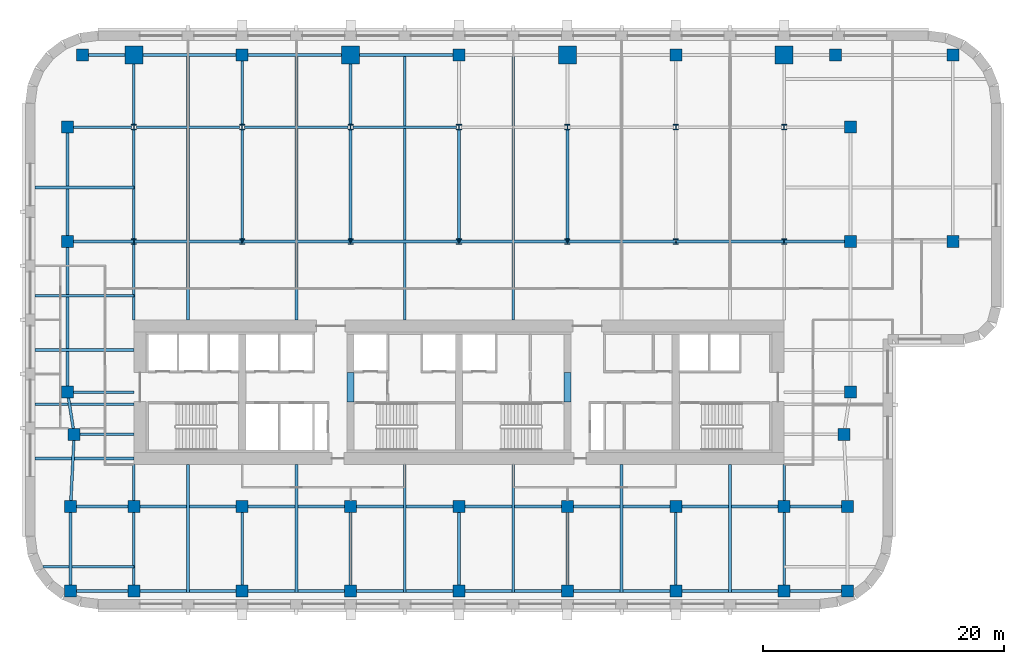
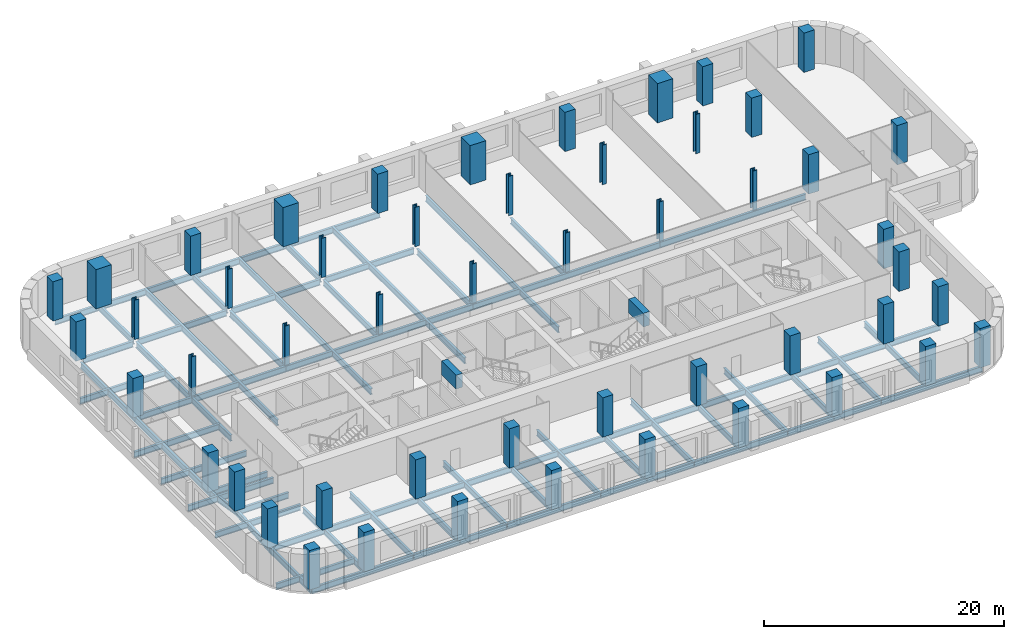
# One storey, part 1 of 9: 58 beams, 51 columns.
"""IFC4 building model written with IfcOpenShell, lengths in metres."""

from ifc_helpers import new_model, si_unit, direction, frame, origin, origin_2d, place, context, subcontext, project, spatial, rectangle, i_section, extrude, material, material_profile, profile_set, type_object, element, save


model = new_model("IFC4")

# Units and contexts
model_context = context("Model", 3, precision=1e-05, world=origin(), true_north=direction((0.0, 1.0)))
body_context = subcontext(model_context, "Body", "Model", "MODEL_VIEW")
ifc_project = project(units=[si_unit("LENGTHUNIT", "METRE"), si_unit("AREAUNIT", "SQUARE_METRE"), si_unit("VOLUMEUNIT", "CUBIC_METRE"), si_unit("PLANEANGLEUNIT", "RADIAN"), si_unit("MASSUNIT", "GRAM", prefix="KILO")], contexts=[model_context])

# Site, building, storey
site_placement = place(None, origin())
site = spatial("IfcSite", under=ifc_project, at=site_placement, CompositionType="ELEMENT")
building_placement = place(site_placement, origin())
building = spatial("IfcBuilding", under=site, at=building_placement, Name="Zellij Exchange Tower", CompositionType="ELEMENT")
storey_placement = place(building_placement, frame((0.0, 0.0, 136.5)))
storey = spatial("IfcBuildingStorey", under=building, at=storey_placement, Name="L30", CompositionType="ELEMENT", Elevation=136.5)

# Columns
ifc_material_1 = material(Name="Concrete C70/85", Category="concrete")
ifc_material_profile_1 = material_profile(ifc_material_1, rectangle(XDim=1.0, YDim=1.0, at=origin_2d()), Name="STR-COLUMN RC1000x1000 C70/85")
ifc_profile_set_1 = profile_set([ifc_material_profile_1], Name="Concrete C70/85")
column_type_1 = type_object("IfcColumnType", Name="STR-COLUMN RC1000x1000 C70/85", PredefinedType="COLUMN", material=ifc_profile_set_1)
for number, where, z_axis, x_axis, name in (
    (1, (-32.25, -24.5, 0.0), (0.0, 0.0, 1.0), (1.0, 0.0, 0.0), "C10"),
    (2, (-27.0, -24.5, 0.0), (0.0, 0.0, 1.0), (1.0, 0.0, 0.0), "C10"),
    (3, (-18.0, -24.5, 0.0), (0.0, 0.0, 1.0), (1.0, 0.0, 0.0), "C10"),
    (4, (-9.0, -24.5, 0.0), (0.0, 0.0, 1.0), (1.0, 0.0, 0.0), "C10"),
    (5, (0.0, -24.5, 0.0), (0.0, 0.0, 1.0), (1.0, 0.0, 0.0), "C10"),
    (6, (9.0, -24.5, 0.0), (0.0, 0.0, 1.0), (1.0, 0.0, 0.0), "C10"),
    (7, (18.0, -24.5, 0.0), (0.0, 0.0, 1.0), (1.0, 0.0, 0.0), "C10"),
    (8, (27.0, -24.5, 0.0), (0.0, 0.0, 1.0), (1.0, 0.0, 0.0), "C10"),
    (9, (32.25, -24.5, 0.0), (0.0, 0.0, 1.0), (1.0, 0.0, 0.0), "C10"),
    (10, (-32.25, -17.5, 0.0), (0.0, 0.0, 1.0), (1.0, 0.0, 0.0), "C10"),
    (11, (-27.0, -17.5, 0.0), (0.0, 0.0, 1.0), (1.0, 0.0, 0.0), "C10"),
    (12, (-18.0, -17.5, 0.0), (0.0, 0.0, 1.0), (1.0, 0.0, 0.0), "C10"),
    (13, (-9.0, -17.5, 0.0), (0.0, 0.0, 1.0), (1.0, 0.0, 0.0), "C10"),
    (14, (0.0, -17.5, 0.0), (0.0, 0.0, 1.0), (1.0, 0.0, 0.0), "C10"),
    (15, (9.0, -17.5, 0.0), (0.0, 0.0, 1.0), (1.0, 0.0, 0.0), "C10"),
    (16, (18.0, -17.5, 0.0), (0.0, 0.0, 1.0), (1.0, 0.0, 0.0), "C10"),
    (17, (27.0, -17.5, 0.0), (0.0, 0.0, 1.0), (1.0, 0.0, 0.0), "C10"),
    (18, (32.25, -17.5, 0.0), (0.0, 0.0, 1.0), (1.0, 0.0, 0.0), "C10"),
    (19, (-31.949951171875, -11.5, 0.0), (0.0, 0.0, 1.0), (1.0, 0.0, 0.0), "C10"),
    (20, (31.949951171875, -11.5, 0.0), (0.0, 0.0, 1.0), (1.0, 0.0, 0.0), "C10"),
    (21, (-32.5, -8.0, 0.0), (0.0, 0.0, 1.0), (1.0, 0.0, 0.0), "C10"),
    (22, (32.5, -8.0, 0.0), (0.0, 0.0, 1.0), (1.0, 0.0, 0.0), "C10"),
    (23, (-32.5, 4.5, 0.0), (0.0, 0.0, 1.0), (1.0, 0.0, 0.0), "C10"),
    (24, (32.5, 4.5, 0.0), (0.0, 0.0, 1.0), (1.0, 0.0, 0.0), "C10"),
    (25, (41.0, 4.5, 0.0), (0.0, 0.0, 1.0), (1.0, 0.0, 0.0), "C10"),
    (26, (-32.5, 14.0, 0.0), (0.0, 0.0, 1.0), (1.0, 0.0, 0.0), "C10"),
    (27, (32.5, 14.0, 0.0), (0.0, 0.0, 1.0), (1.0, 0.0, 0.0), "C10"),
    (28, (-31.25, 20.0, 0.0), (0.0, 0.0, 1.0), (1.0, 0.0, 0.0), "C10"),
    (29, (-18.0, 20.0, 0.0), (0.0, 0.0, 1.0), (1.0, 0.0, 0.0), "C10"),
    (30, (0.0, 20.0, 0.0), (0.0, 0.0, 1.0), (1.0, 0.0, 0.0), "C10"),
    (31, (18.0, 20.0, 0.0), (0.0, 0.0, 1.0), (1.0, 0.0, 0.0), "C10"),
    (32, (31.25, 20.0, 0.0), (0.0, 0.0, 1.0), (1.0, 0.0, 0.0), "C10"),
    (33, (41.0, 20.0, 0.0), (0.0, 0.0, 1.0), (1.0, 0.0, 0.0), "C10"),
):
    element("IfcColumn", number, at=place(storey_placement, frame(where, z_axis=z_axis, x_axis=x_axis)), inside=storey, type_object=column_type_1, Name=name, PredefinedType="COLUMN", context=body_context, shape_type="SweptSolid", body=[
        extrude(rectangle(XDim=1.0, YDim=1.0, at=origin_2d()), origin(), (0.0, 0.0, 1.0), 4.0),
    ])
ifc_material_2 = material(Name="Structural steel ASTM A913 Gr 65", Category="steel")
ifc_material_profile_2 = material_profile(ifc_material_2, i_section(OverallWidth=0.419189453125, OverallDepth=0.45458984375, WebThickness=0.042236328125, FlangeThickness=0.067626953125, at=origin_2d()), Name="W14x370")
ifc_profile_set_2 = profile_set([ifc_material_profile_2], Name="Structural steel ASTM A913 Gr 65")
column_type_2 = type_object("IfcColumnType", Name="STR-COLUMN W14x370", PredefinedType="COLUMN", material=ifc_profile_set_2)
for number, where, z_axis, x_axis, name in (
    (34, (-27.0, 4.5, 0.0), (0.0, 0.0, 1.0), (1.0, 0.0, 0.0), "C4"),
    (35, (-18.0, 4.5, 0.0), (0.0, 0.0, 1.0), (1.0, 0.0, 0.0), "C4"),
    (36, (-9.0, 4.5, 0.0), (0.0, 0.0, 1.0), (1.0, 0.0, 0.0), "C4"),
    (37, (0.0, 4.5, 0.0), (0.0, 0.0, 1.0), (1.0, 0.0, 0.0), "C4"),
    (38, (9.0, 4.5, 0.0), (0.0, 0.0, 1.0), (1.0, 0.0, 0.0), "C4"),
    (39, (18.0, 4.5, 0.0), (0.0, 0.0, 1.0), (1.0, 0.0, 0.0), "C4"),
    (40, (27.0, 4.5, 0.0), (0.0, 0.0, 1.0), (1.0, 0.0, 0.0), "C4"),
    (41, (-27.0, 14.0, 0.0), (0.0, 0.0, 1.0), (1.0, 0.0, 0.0), "C4"),
    (42, (-18.0, 14.0, 0.0), (0.0, 0.0, 1.0), (1.0, 0.0, 0.0), "C4"),
    (43, (-9.0, 14.0, 0.0), (0.0, 0.0, 1.0), (1.0, 0.0, 0.0), "C4"),
    (44, (0.0, 14.0, 0.0), (0.0, 0.0, 1.0), (1.0, 0.0, 0.0), "C4"),
    (45, (9.0, 14.0, 0.0), (0.0, 0.0, 1.0), (1.0, 0.0, 0.0), "C4"),
    (46, (18.0, 14.0, 0.0), (0.0, 0.0, 1.0), (1.0, 0.0, 0.0), "C4"),
    (47, (27.0, 14.0, 0.0), (0.0, 0.0, 1.0), (1.0, 0.0, 0.0), "C4"),
):
    element("IfcColumn", number, at=place(storey_placement, frame(where, z_axis=z_axis, x_axis=x_axis)), inside=storey, type_object=column_type_2, Name=name, PredefinedType="COLUMN", context=body_context, shape_type="SweptSolid", body=[
        extrude(i_section(OverallWidth=0.419189453125, OverallDepth=0.45458984375, WebThickness=0.042236328125, FlangeThickness=0.067626953125, at=origin_2d()), origin(), (0.0, 0.0, 1.0), 4.0),
    ])
ifc_material_profile_3 = material_profile(ifc_material_1, rectangle(XDim=1.5, YDim=1.5, at=origin_2d()), Name="STR-MEGA COLUMN RC1500x1500 C70/85")
ifc_profile_set_3 = profile_set([ifc_material_profile_3], Name="Concrete C70/85")
column_type_3 = type_object("IfcColumnType", Name="STR-MEGA COLUMN RC1500x1500 C70/85", PredefinedType="COLUMN", material=ifc_profile_set_3)
for number, where, z_axis, x_axis, name in (
    (48, (-27.0, 20.0, 0.0), (0.0, 0.0, 1.0), (1.0, 0.0, 0.0), "MC5"),
    (49, (-9.0, 20.0, 0.0), (0.0, 0.0, 1.0), (1.0, 0.0, 0.0), "MC5"),
    (50, (9.0, 20.0, 0.0), (0.0, 0.0, 1.0), (1.0, 0.0, 0.0), "MC5"),
    (51, (27.0, 20.0, 0.0), (0.0, 0.0, 1.0), (1.0, 0.0, 0.0), "MC5"),
):
    element("IfcColumn", number, at=place(storey_placement, frame(where, z_axis=z_axis, x_axis=x_axis)), inside=storey, type_object=column_type_3, Name=name, PredefinedType="COLUMN", context=body_context, shape_type="SweptSolid", body=[
        extrude(rectangle(XDim=1.5, YDim=1.5, at=origin_2d()), origin(), (0.0, 0.0, 1.0), 4.0),
    ])

# Beams
ifc_material_profile_4 = material_profile(ifc_material_1, rectangle(XDim=0.60009765625, YDim=1.39990234375, at=origin_2d()), Name="CORE-CB 600x1400 C70/85")
ifc_profile_set_4 = profile_set([ifc_material_profile_4], Name="Concrete C70/85")
beam_type_1 = type_object("IfcBeamType", Name="CORE-CB 600x1400 C70/85", PredefinedType="BEAM", material=ifc_profile_set_4)
for number, where, z_axis, x_axis, name in (
    (52, (-9.0, -8.800048828125, 3.10009765625), (0.0, 1.0, 0.0), (-1.0, 0.0, 0.0), "Core coupling beam x -9 L30"),
    (53, (9.0, -8.800048828125, 3.10009765625), (0.0, 1.0, 0.0), (-1.0, 0.0, 0.0), "Core coupling beam x 9 L30"),
):
    element("IfcBeam", number, at=place(storey_placement, frame(where, z_axis=z_axis, x_axis=x_axis)), inside=storey, type_object=beam_type_1, Name=name, PredefinedType="BEAM", context=body_context, shape_type="SweptSolid", body=[
        extrude(rectangle(XDim=0.60009765625, YDim=1.39990234375, at=origin_2d()), origin(), (0.0, 0.0, 1.0), 2.425048828125),
    ])
ifc_material_3 = material(Name="Structural steel ASTM A992 Gr 50", Category="steel")
ifc_material_profile_5 = material_profile(ifc_material_3, i_section(OverallWidth=0.227783203125, OverallDepth=0.60205078125, WebThickness=0.010498046875, FlangeThickness=0.014892578125, at=origin_2d()), Name="W24x68")
ifc_profile_set_5 = profile_set([ifc_material_profile_5], Name="Structural steel ASTM A992 Gr 50")
beam_type_2 = type_object("IfcBeamType", Name="STR-BEAM W24x68", PredefinedType="BEAM", material=ifc_profile_set_5)
beam_1_placement = place(storey_placement, frame((-22.5, -24.614501953125, -0.5009765625), z_axis=(0.0, 1.0, 0.0), x_axis=(-1.0, 0.0, 0.0)))
element("IfcBeam", 54, at=beam_1_placement, inside=storey, type_object=beam_type_2, Name="B5", PredefinedType="BEAM", context=body_context, shape_type="SweptSolid", body=[
    extrude(i_section(OverallWidth=0.227783203125, OverallDepth=0.60205078125, WebThickness=0.010498046875, FlangeThickness=0.014892578125, at=origin_2d()), origin(), (0.0, 0.0, 1.0), 10.614501953125),
])
beam_2_placement = place(storey_placement, frame((-22.5, -2.0, -0.5009765625), z_axis=(0.0, 1.0, 0.0), x_axis=(-1.0, 0.0, 0.0)))
element("IfcBeam", 55, at=beam_2_placement, inside=storey, type_object=beam_type_2, Name="B5", PredefinedType="BEAM", context=body_context, shape_type="SweptSolid", body=[
    extrude(i_section(OverallWidth=0.227783203125, OverallDepth=0.60205078125, WebThickness=0.010498046875, FlangeThickness=0.014892578125, at=origin_2d()), origin(), (0.0, 0.0, 1.0), 22.114501953125),
])
beam_3_placement = place(storey_placement, frame((-13.5, -24.614501953125, -0.5009765625), z_axis=(0.0, 1.0, 0.0), x_axis=(-1.0, 0.0, 0.0)))
element("IfcBeam", 56, at=beam_3_placement, inside=storey, type_object=beam_type_2, Name="B5", PredefinedType="BEAM", context=body_context, shape_type="SweptSolid", body=[
    extrude(i_section(OverallWidth=0.227783203125, OverallDepth=0.60205078125, WebThickness=0.010498046875, FlangeThickness=0.014892578125, at=origin_2d()), origin(), (0.0, 0.0, 1.0), 10.614501953125),
])
beam_4_placement = place(storey_placement, frame((-13.5, -2.0, -0.5009765625), z_axis=(0.0, 1.0, 0.0), x_axis=(-1.0, 0.0, 0.0)))
element("IfcBeam", 57, at=beam_4_placement, inside=storey, type_object=beam_type_2, Name="B5", PredefinedType="BEAM", context=body_context, shape_type="SweptSolid", body=[
    extrude(i_section(OverallWidth=0.227783203125, OverallDepth=0.60205078125, WebThickness=0.010498046875, FlangeThickness=0.014892578125, at=origin_2d()), origin(), (0.0, 0.0, 1.0), 22.114501953125),
])
beam_5_placement = place(storey_placement, frame((-4.5, -24.614501953125, -0.5009765625), z_axis=(0.0, 1.0, 0.0), x_axis=(-1.0, 0.0, 0.0)))
element("IfcBeam", 58, at=beam_5_placement, inside=storey, type_object=beam_type_2, Name="B5", PredefinedType="BEAM", context=body_context, shape_type="SweptSolid", body=[
    extrude(i_section(OverallWidth=0.227783203125, OverallDepth=0.60205078125, WebThickness=0.010498046875, FlangeThickness=0.014892578125, at=origin_2d()), origin(), (0.0, 0.0, 1.0), 10.614501953125),
])
beam_6_placement = place(storey_placement, frame((-4.5, -2.0, -0.5009765625), z_axis=(0.0, 1.0, 0.0), x_axis=(-1.0, 0.0, 0.0)))
element("IfcBeam", 59, at=beam_6_placement, inside=storey, type_object=beam_type_2, Name="B5", PredefinedType="BEAM", context=body_context, shape_type="SweptSolid", body=[
    extrude(i_section(OverallWidth=0.227783203125, OverallDepth=0.60205078125, WebThickness=0.010498046875, FlangeThickness=0.014892578125, at=origin_2d()), origin(), (0.0, 0.0, 1.0), 22.114501953125),
])
beam_7_placement = place(storey_placement, frame((4.5, -24.614501953125, -0.5009765625), z_axis=(0.0, 1.0, 0.0), x_axis=(-1.0, 0.0, 0.0)))
element("IfcBeam", 60, at=beam_7_placement, inside=storey, type_object=beam_type_2, Name="B5", PredefinedType="BEAM", context=body_context, shape_type="SweptSolid", body=[
    extrude(i_section(OverallWidth=0.227783203125, OverallDepth=0.60205078125, WebThickness=0.010498046875, FlangeThickness=0.014892578125, at=origin_2d()), origin(), (0.0, 0.0, 1.0), 10.614501953125),
])
beam_8_placement = place(storey_placement, frame((4.5, -2.0, -0.5009765625), z_axis=(0.0, 1.0, 0.0), x_axis=(-1.0, 0.0, 0.0)))
element("IfcBeam", 61, at=beam_8_placement, inside=storey, type_object=beam_type_2, Name="B5", PredefinedType="BEAM", context=body_context, shape_type="SweptSolid", body=[
    extrude(i_section(OverallWidth=0.227783203125, OverallDepth=0.60205078125, WebThickness=0.010498046875, FlangeThickness=0.014892578125, at=origin_2d()), origin(), (0.0, 0.0, 1.0), 22.114501953125),
])
for number, where, z_axis, x_axis, name in (
    (62, (13.5, -24.614501953125, -0.5009765625), (0.0, 1.0, 0.0), (-1.0, 0.0, 0.0), "B5"),
    (63, (22.5, -24.614501953125, -0.5009765625), (0.0, 1.0, 0.0), (-1.0, 0.0, 0.0), "B5"),
):
    element("IfcBeam", number, at=place(storey_placement, frame(where, z_axis=z_axis, x_axis=x_axis)), inside=storey, type_object=beam_type_2, Name=name, PredefinedType="BEAM", context=body_context, shape_type="SweptSolid", body=[
        extrude(i_section(OverallWidth=0.227783203125, OverallDepth=0.60205078125, WebThickness=0.010498046875, FlangeThickness=0.014892578125, at=origin_2d()), origin(), (0.0, 0.0, 1.0), 10.614501953125),
    ])
beam_9_placement = place(storey_placement, frame((-34.537109375, -22.5, -0.5009765625), z_axis=(1.0, 0.0, 0.0), x_axis=(0.0, 1.0, 0.0)))
element("IfcBeam", 64, at=beam_9_placement, inside=storey, type_object=beam_type_2, Name="B5", PredefinedType="BEAM", context=body_context, shape_type="SweptSolid", body=[
    extrude(i_section(OverallWidth=0.227783203125, OverallDepth=0.60205078125, WebThickness=0.010498046875, FlangeThickness=0.014892578125, at=origin_2d()), origin(), (0.0, 0.0, 1.0), 7.537109375),
])
for number, where, z_axis, x_axis, name in (
    (65, (-35.199951171875, -13.5, -0.5009765625), (1.0, 0.0, 0.0), (0.0, 1.0, 0.0), "B5"),
    (66, (-35.199951171875, -9.0, -0.5009765625), (1.0, 0.0, 0.0), (0.0, 1.0, 0.0), "B5"),
    (67, (-35.199951171875, -4.5, -0.5009765625), (1.0, 0.0, 0.0), (0.0, 1.0, 0.0), "B5"),
    (68, (-35.199951171875, 0.0, -0.5009765625), (1.0, 0.0, 0.0), (0.0, 1.0, 0.0), "B5"),
    (69, (-35.199951171875, 9.0, -0.5009765625), (1.0, 0.0, 0.0), (0.0, 1.0, 0.0), "B5"),
):
    element("IfcBeam", number, at=place(storey_placement, frame(where, z_axis=z_axis, x_axis=x_axis)), inside=storey, type_object=beam_type_2, Name=name, PredefinedType="BEAM", context=body_context, shape_type="SweptSolid", body=[
        extrude(i_section(OverallWidth=0.227783203125, OverallDepth=0.60205078125, WebThickness=0.010498046875, FlangeThickness=0.014892578125, at=origin_2d()), origin(), (0.0, 0.0, 1.0), 8.199951171875),
    ])
ifc_material_profile_6 = material_profile(ifc_material_3, i_section(OverallWidth=0.22900390625, OverallDepth=0.612060546875, WebThickness=0.011962890625, FlangeThickness=0.01953125, at=origin_2d()), Name="W24x84")
ifc_profile_set_6 = profile_set([ifc_material_profile_6], Name="Structural steel ASTM A992 Gr 50")
beam_type_3 = type_object("IfcBeamType", Name="STR-EDGE GIRDER W24x84", PredefinedType="BEAM", material=ifc_profile_set_6)
beam_10_placement = place(storey_placement, frame((-32.25, -24.5, -0.506103515625), z_axis=(0.0, 1.0, 0.0), x_axis=(-1.0, 0.0, 0.0)))
element("IfcBeam", 70, at=beam_10_placement, inside=storey, type_object=beam_type_3, Name="EB6", PredefinedType="BEAM", context=body_context, shape_type="SweptSolid", body=[
    extrude(i_section(OverallWidth=0.22900390625, OverallDepth=0.612060546875, WebThickness=0.011962890625, FlangeThickness=0.01953125, at=origin_2d()), origin(), (0.0, 0.0, 1.0), 7.0),
])
beam_11_placement = place(storey_placement, frame((-32.25, -17.5, -0.506103515625), z_axis=(0.049945724537, 0.998751933465, 0.0), x_axis=(-0.998751933465, 0.049945724537, 0.0)))
element("IfcBeam", 71, at=beam_11_placement, inside=storey, type_object=beam_type_3, Name="EB6", PredefinedType="BEAM", context=body_context, shape_type="SweptSolid", body=[
    extrude(i_section(OverallWidth=0.22900390625, OverallDepth=0.612060546875, WebThickness=0.011962890625, FlangeThickness=0.01953125, at=origin_2d()), origin(), (0.0, 0.0, 1.0), 6.007568359375),
])
beam_12_placement = place(storey_placement, frame((-31.949951171875, -11.5, -0.506103515625), z_axis=(-0.155251283593, 0.987875011802, 0.0), x_axis=(-0.987875011802, -0.155251283593, 0.0)))
element("IfcBeam", 72, at=beam_12_placement, inside=storey, type_object=beam_type_3, Name="EB6", PredefinedType="BEAM", context=body_context, shape_type="SweptSolid", body=[
    extrude(i_section(OverallWidth=0.22900390625, OverallDepth=0.612060546875, WebThickness=0.011962890625, FlangeThickness=0.01953125, at=origin_2d()), origin(), (0.0, 0.0, 1.0), 3.54296875),
])
beam_13_placement = place(storey_placement, frame((-32.5, -8.0, -0.506103515625), z_axis=(0.0, 1.0, 0.0), x_axis=(-1.0, 0.0, 0.0)))
element("IfcBeam", 73, at=beam_13_placement, inside=storey, type_object=beam_type_3, Name="EB6", PredefinedType="BEAM", context=body_context, shape_type="SweptSolid", body=[
    extrude(i_section(OverallWidth=0.22900390625, OverallDepth=0.612060546875, WebThickness=0.011962890625, FlangeThickness=0.01953125, at=origin_2d()), origin(), (0.0, 0.0, 1.0), 12.5),
])
beam_14_placement = place(storey_placement, frame((-32.5, 4.5, -0.506103515625), z_axis=(0.0, 1.0, 0.0), x_axis=(-1.0, 0.0, 0.0)))
element("IfcBeam", 74, at=beam_14_placement, inside=storey, type_object=beam_type_3, Name="EB6", PredefinedType="BEAM", context=body_context, shape_type="SweptSolid", body=[
    extrude(i_section(OverallWidth=0.22900390625, OverallDepth=0.612060546875, WebThickness=0.011962890625, FlangeThickness=0.01953125, at=origin_2d()), origin(), (0.0, 0.0, 1.0), 9.0),
])
ifc_material_profile_7 = material_profile(ifc_material_3, i_section(OverallWidth=0.22900390625, OverallDepth=0.612060546875, WebThickness=0.011962890625, FlangeThickness=0.01953125, at=origin_2d()), Name="W24x84")
ifc_profile_set_7 = profile_set([ifc_material_profile_7], Name="Structural steel ASTM A992 Gr 50")
beam_type_4 = type_object("IfcBeamType", Name="STR-GIRDER W24x84", PredefinedType="BEAM", material=ifc_profile_set_7)
beam_15_placement = place(storey_placement, frame((-32.25, -24.5, -0.506103515625), z_axis=(1.0, 0.0, 0.0), x_axis=(0.0, 1.0, 0.0)))
element("IfcBeam", 75, at=beam_15_placement, inside=storey, type_object=beam_type_4, Name="G4", PredefinedType="BEAM", context=body_context, shape_type="SweptSolid", body=[
    extrude(i_section(OverallWidth=0.22900390625, OverallDepth=0.612060546875, WebThickness=0.011962890625, FlangeThickness=0.01953125, at=origin_2d()), origin(), (0.0, 0.0, 1.0), 14.25),
])
for number, where, z_axis, x_axis, name in (
    (76, (-18.0, -24.5, -0.506103515625), (1.0, 0.0, 0.0), (0.0, 1.0, 0.0), "G4"),
    (77, (0.0, -24.5, -0.506103515625), (1.0, 0.0, 0.0), (0.0, 1.0, 0.0), "G4"),
):
    element("IfcBeam", number, at=place(storey_placement, frame(where, z_axis=z_axis, x_axis=x_axis)), inside=storey, type_object=beam_type_4, Name=name, PredefinedType="BEAM", context=body_context, shape_type="SweptSolid", body=[
        extrude(i_section(OverallWidth=0.22900390625, OverallDepth=0.612060546875, WebThickness=0.011962890625, FlangeThickness=0.01953125, at=origin_2d()), origin(), (0.0, 0.0, 1.0), 18.0),
    ])
for number, where, z_axis, x_axis, name in (
    (78, (18.0, -24.5, -0.506103515625), (1.0, 0.0, 0.0), (0.0, 1.0, 0.0), "G4"),
    (79, (-32.25, -17.5, -0.506103515625), (1.0, 0.0, 0.0), (0.0, 1.0, 0.0), "G4"),
):
    element("IfcBeam", number, at=place(storey_placement, frame(where, z_axis=z_axis, x_axis=x_axis)), inside=storey, type_object=beam_type_4, Name=name, PredefinedType="BEAM", context=body_context, shape_type="SweptSolid", body=[
        extrude(i_section(OverallWidth=0.22900390625, OverallDepth=0.612060546875, WebThickness=0.011962890625, FlangeThickness=0.01953125, at=origin_2d()), origin(), (0.0, 0.0, 1.0), 14.25),
    ])
for number, where, z_axis, x_axis, name in (
    (80, (-18.0, -17.5, -0.506103515625), (1.0, 0.0, 0.0), (0.0, 1.0, 0.0), "G4"),
    (81, (0.0, -17.5, -0.506103515625), (1.0, 0.0, 0.0), (0.0, 1.0, 0.0), "G4"),
):
    element("IfcBeam", number, at=place(storey_placement, frame(where, z_axis=z_axis, x_axis=x_axis)), inside=storey, type_object=beam_type_4, Name=name, PredefinedType="BEAM", context=body_context, shape_type="SweptSolid", body=[
        extrude(i_section(OverallWidth=0.22900390625, OverallDepth=0.612060546875, WebThickness=0.011962890625, FlangeThickness=0.01953125, at=origin_2d()), origin(), (0.0, 0.0, 1.0), 18.0),
    ])
beam_16_placement = place(storey_placement, frame((18.0, -17.5, -0.506103515625), z_axis=(1.0, 0.0, 0.0), x_axis=(0.0, 1.0, 0.0)))
element("IfcBeam", 82, at=beam_16_placement, inside=storey, type_object=beam_type_4, Name="G4", PredefinedType="BEAM", context=body_context, shape_type="SweptSolid", body=[
    extrude(i_section(OverallWidth=0.22900390625, OverallDepth=0.612060546875, WebThickness=0.011962890625, FlangeThickness=0.01953125, at=origin_2d()), origin(), (0.0, 0.0, 1.0), 14.25),
])
beam_17_placement = place(storey_placement, frame((-31.949951171875, -11.5, -0.506103515625), z_axis=(1.0, 0.0, 0.0), x_axis=(0.0, 1.0, 0.0)))
element("IfcBeam", 83, at=beam_17_placement, inside=storey, type_object=beam_type_4, Name="G4", PredefinedType="BEAM", context=body_context, shape_type="SweptSolid", body=[
    extrude(i_section(OverallWidth=0.22900390625, OverallDepth=0.612060546875, WebThickness=0.011962890625, FlangeThickness=0.01953125, at=origin_2d()), origin(), (0.0, 0.0, 1.0), 4.949951171875),
])
beam_18_placement = place(storey_placement, frame((-32.5, -8.0, -0.506103515625), z_axis=(1.0, 0.0, 0.0), x_axis=(0.0, 1.0, 0.0)))
element("IfcBeam", 84, at=beam_18_placement, inside=storey, type_object=beam_type_4, Name="G4", PredefinedType="BEAM", context=body_context, shape_type="SweptSolid", body=[
    extrude(i_section(OverallWidth=0.22900390625, OverallDepth=0.612060546875, WebThickness=0.011962890625, FlangeThickness=0.01953125, at=origin_2d()), origin(), (0.0, 0.0, 1.0), 5.5),
])
beam_19_placement = place(storey_placement, frame((-32.5, 4.5, -0.506103515625), z_axis=(1.0, 0.0, 0.0), x_axis=(0.0, 1.0, 0.0)))
element("IfcBeam", 85, at=beam_19_placement, inside=storey, type_object=beam_type_4, Name="G4", PredefinedType="BEAM", context=body_context, shape_type="SweptSolid", body=[
    extrude(i_section(OverallWidth=0.22900390625, OverallDepth=0.612060546875, WebThickness=0.011962890625, FlangeThickness=0.01953125, at=origin_2d()), origin(), (0.0, 0.0, 1.0), 14.5),
])
for number, where, z_axis, x_axis, name in (
    (86, (-18.0, 4.5, -0.506103515625), (1.0, 0.0, 0.0), (0.0, 1.0, 0.0), "G4"),
    (87, (0.0, 4.5, -0.506103515625), (1.0, 0.0, 0.0), (0.0, 1.0, 0.0), "G4"),
):
    element("IfcBeam", number, at=place(storey_placement, frame(where, z_axis=z_axis, x_axis=x_axis)), inside=storey, type_object=beam_type_4, Name=name, PredefinedType="BEAM", context=body_context, shape_type="SweptSolid", body=[
        extrude(i_section(OverallWidth=0.22900390625, OverallDepth=0.612060546875, WebThickness=0.011962890625, FlangeThickness=0.01953125, at=origin_2d()), origin(), (0.0, 0.0, 1.0), 18.0),
    ])
beam_20_placement = place(storey_placement, frame((18.0, 4.5, -0.506103515625), z_axis=(1.0, 0.0, 0.0), x_axis=(0.0, 1.0, 0.0)))
element("IfcBeam", 88, at=beam_20_placement, inside=storey, type_object=beam_type_4, Name="G4", PredefinedType="BEAM", context=body_context, shape_type="SweptSolid", body=[
    extrude(i_section(OverallWidth=0.22900390625, OverallDepth=0.612060546875, WebThickness=0.011962890625, FlangeThickness=0.01953125, at=origin_2d()), origin(), (0.0, 0.0, 1.0), 14.0),
])
beam_21_placement = place(storey_placement, frame((-32.0, 14.0, -0.506103515625), z_axis=(1.0, 0.0, 0.0), x_axis=(0.0, 1.0, 0.0)))
element("IfcBeam", 89, at=beam_21_placement, inside=storey, type_object=beam_type_4, Name="G4", PredefinedType="BEAM", context=body_context, shape_type="SweptSolid", body=[
    extrude(i_section(OverallWidth=0.22900390625, OverallDepth=0.612060546875, WebThickness=0.011962890625, FlangeThickness=0.01953125, at=origin_2d()), origin(), (0.0, 0.0, 1.0), 4.790283203125),
])
for number, where, z_axis, x_axis, name in (
    (90, (-26.790283203125, 14.0, -0.506103515625), (1.0, 0.0, 0.0), (0.0, 1.0, 0.0), "G4"),
    (91, (-17.790283203125, 14.0, -0.506103515625), (1.0, 0.0, 0.0), (0.0, 1.0, 0.0), "G4"),
):
    element("IfcBeam", number, at=place(storey_placement, frame(where, z_axis=z_axis, x_axis=x_axis)), inside=storey, type_object=beam_type_4, Name=name, PredefinedType="BEAM", context=body_context, shape_type="SweptSolid", body=[
        extrude(i_section(OverallWidth=0.22900390625, OverallDepth=0.612060546875, WebThickness=0.011962890625, FlangeThickness=0.01953125, at=origin_2d()), origin(), (0.0, 0.0, 1.0), 8.58056640625),
    ])
beam_22_placement = place(storey_placement, frame((-8.790283203125, 14.0, -0.506103515625), z_axis=(1.0, 0.0, 0.0), x_axis=(0.0, 1.0, 0.0)))
element("IfcBeam", 92, at=beam_22_placement, inside=storey, type_object=beam_type_4, Name="G4", PredefinedType="BEAM", context=body_context, shape_type="SweptSolid", body=[
    extrude(i_section(OverallWidth=0.22900390625, OverallDepth=0.612060546875, WebThickness=0.011962890625, FlangeThickness=0.01953125, at=origin_2d()), origin(), (0.0, 0.0, 1.0), 8.580810546875),
])
beam_23_placement = place(storey_placement, frame((-31.25, 20.0, -0.506103515625), z_axis=(1.0, 0.0, 0.0), x_axis=(0.0, 1.0, 0.0)))
element("IfcBeam", 93, at=beam_23_placement, inside=storey, type_object=beam_type_4, Name="G4", PredefinedType="BEAM", context=body_context, shape_type="SweptSolid", body=[
    extrude(i_section(OverallWidth=0.22900390625, OverallDepth=0.612060546875, WebThickness=0.011962890625, FlangeThickness=0.01953125, at=origin_2d()), origin(), (0.0, 0.0, 1.0), 13.25),
])
beam_24_placement = place(storey_placement, frame((-18.0, 20.0, -0.506103515625), z_axis=(1.0, 0.0, 0.0), x_axis=(0.0, 1.0, 0.0)))
element("IfcBeam", 94, at=beam_24_placement, inside=storey, type_object=beam_type_4, Name="G4", PredefinedType="BEAM", context=body_context, shape_type="SweptSolid", body=[
    extrude(i_section(OverallWidth=0.22900390625, OverallDepth=0.612060546875, WebThickness=0.011962890625, FlangeThickness=0.01953125, at=origin_2d()), origin(), (0.0, 0.0, 1.0), 18.0),
])
beam_25_placement = place(storey_placement, frame((-27.0, -24.5, -0.506103515625), z_axis=(0.0, 1.0, 0.0), x_axis=(-1.0, 0.0, 0.0)))
element("IfcBeam", 95, at=beam_25_placement, inside=storey, type_object=beam_type_4, Name="G4", PredefinedType="BEAM", context=body_context, shape_type="SweptSolid", body=[
    extrude(i_section(OverallWidth=0.22900390625, OverallDepth=0.612060546875, WebThickness=0.011962890625, FlangeThickness=0.01953125, at=origin_2d()), origin(), (0.0, 0.0, 1.0), 10.5),
])
beam_26_placement = place(storey_placement, frame((-27.0, -2.0, -0.506103515625), z_axis=(0.0, 1.0, 0.0), x_axis=(-1.0, 0.0, 0.0)))
element("IfcBeam", 96, at=beam_26_placement, inside=storey, type_object=beam_type_4, Name="G4", PredefinedType="BEAM", context=body_context, shape_type="SweptSolid", body=[
    extrude(i_section(OverallWidth=0.22900390625, OverallDepth=0.612060546875, WebThickness=0.011962890625, FlangeThickness=0.01953125, at=origin_2d()), origin(), (0.0, 0.0, 1.0), 15.772705078125),
])
beam_27_placement = place(storey_placement, frame((-27.0, 14.227294921875, -0.506103515625), z_axis=(0.0, 1.0, 0.0), x_axis=(-1.0, 0.0, 0.0)))
element("IfcBeam", 97, at=beam_27_placement, inside=storey, type_object=beam_type_4, Name="G4", PredefinedType="BEAM", context=body_context, shape_type="SweptSolid", body=[
    extrude(i_section(OverallWidth=0.22900390625, OverallDepth=0.612060546875, WebThickness=0.011962890625, FlangeThickness=0.01953125, at=origin_2d()), origin(), (0.0, 0.0, 1.0), 5.772705078125),
])
beam_28_placement = place(storey_placement, frame((-18.0, -24.5, -0.506103515625), z_axis=(0.0, 1.0, 0.0), x_axis=(-1.0, 0.0, 0.0)))
element("IfcBeam", 98, at=beam_28_placement, inside=storey, type_object=beam_type_4, Name="G4", PredefinedType="BEAM", context=body_context, shape_type="SweptSolid", body=[
    extrude(i_section(OverallWidth=0.22900390625, OverallDepth=0.612060546875, WebThickness=0.011962890625, FlangeThickness=0.01953125, at=origin_2d()), origin(), (0.0, 0.0, 1.0), 7.0),
])
beam_29_placement = place(storey_placement, frame((-18.0, 4.5, -0.506103515625), z_axis=(0.0, 1.0, 0.0), x_axis=(-1.0, 0.0, 0.0)))
element("IfcBeam", 99, at=beam_29_placement, inside=storey, type_object=beam_type_4, Name="G4", PredefinedType="BEAM", context=body_context, shape_type="SweptSolid", body=[
    extrude(i_section(OverallWidth=0.22900390625, OverallDepth=0.612060546875, WebThickness=0.011962890625, FlangeThickness=0.01953125, at=origin_2d()), origin(), (0.0, 0.0, 1.0), 9.272705078125),
])
beam_30_placement = place(storey_placement, frame((-18.0, 14.227294921875, -0.506103515625), z_axis=(0.0, 1.0, 0.0), x_axis=(-1.0, 0.0, 0.0)))
element("IfcBeam", 100, at=beam_30_placement, inside=storey, type_object=beam_type_4, Name="G4", PredefinedType="BEAM", context=body_context, shape_type="SweptSolid", body=[
    extrude(i_section(OverallWidth=0.22900390625, OverallDepth=0.612060546875, WebThickness=0.011962890625, FlangeThickness=0.01953125, at=origin_2d()), origin(), (0.0, 0.0, 1.0), 5.772705078125),
])
beam_31_placement = place(storey_placement, frame((-9.0, -24.5, -0.506103515625), z_axis=(0.0, 1.0, 0.0), x_axis=(-1.0, 0.0, 0.0)))
element("IfcBeam", 101, at=beam_31_placement, inside=storey, type_object=beam_type_4, Name="G4", PredefinedType="BEAM", context=body_context, shape_type="SweptSolid", body=[
    extrude(i_section(OverallWidth=0.22900390625, OverallDepth=0.612060546875, WebThickness=0.011962890625, FlangeThickness=0.01953125, at=origin_2d()), origin(), (0.0, 0.0, 1.0), 7.0),
])
beam_32_placement = place(storey_placement, frame((-9.0, 4.5, -0.506103515625), z_axis=(0.0, 1.0, 0.0), x_axis=(-1.0, 0.0, 0.0)))
element("IfcBeam", 102, at=beam_32_placement, inside=storey, type_object=beam_type_4, Name="G4", PredefinedType="BEAM", context=body_context, shape_type="SweptSolid", body=[
    extrude(i_section(OverallWidth=0.22900390625, OverallDepth=0.612060546875, WebThickness=0.011962890625, FlangeThickness=0.01953125, at=origin_2d()), origin(), (0.0, 0.0, 1.0), 9.272705078125),
])
beam_33_placement = place(storey_placement, frame((-9.0, 14.227294921875, -0.506103515625), z_axis=(0.0, 1.0, 0.0), x_axis=(-1.0, 0.0, 0.0)))
element("IfcBeam", 103, at=beam_33_placement, inside=storey, type_object=beam_type_4, Name="G4", PredefinedType="BEAM", context=body_context, shape_type="SweptSolid", body=[
    extrude(i_section(OverallWidth=0.22900390625, OverallDepth=0.612060546875, WebThickness=0.011962890625, FlangeThickness=0.01953125, at=origin_2d()), origin(), (0.0, 0.0, 1.0), 5.772705078125),
])
beam_34_placement = place(storey_placement, frame((0.0, -24.5, -0.506103515625), z_axis=(0.0, 1.0, 0.0), x_axis=(-1.0, 0.0, 0.0)))
element("IfcBeam", 104, at=beam_34_placement, inside=storey, type_object=beam_type_4, Name="G4", PredefinedType="BEAM", context=body_context, shape_type="SweptSolid", body=[
    extrude(i_section(OverallWidth=0.22900390625, OverallDepth=0.612060546875, WebThickness=0.011962890625, FlangeThickness=0.01953125, at=origin_2d()), origin(), (0.0, 0.0, 1.0), 7.0),
])
beam_35_placement = place(storey_placement, frame((0.0, 4.5, -0.506103515625), z_axis=(0.0, 1.0, 0.0), x_axis=(-1.0, 0.0, 0.0)))
element("IfcBeam", 105, at=beam_35_placement, inside=storey, type_object=beam_type_4, Name="G4", PredefinedType="BEAM", context=body_context, shape_type="SweptSolid", body=[
    extrude(i_section(OverallWidth=0.22900390625, OverallDepth=0.612060546875, WebThickness=0.011962890625, FlangeThickness=0.01953125, at=origin_2d()), origin(), (0.0, 0.0, 1.0), 9.272705078125),
])
beam_36_placement = place(storey_placement, frame((9.0, -24.5, -0.506103515625), z_axis=(0.0, 1.0, 0.0), x_axis=(-1.0, 0.0, 0.0)))
element("IfcBeam", 106, at=beam_36_placement, inside=storey, type_object=beam_type_4, Name="G4", PredefinedType="BEAM", context=body_context, shape_type="SweptSolid", body=[
    extrude(i_section(OverallWidth=0.22900390625, OverallDepth=0.612060546875, WebThickness=0.011962890625, FlangeThickness=0.01953125, at=origin_2d()), origin(), (0.0, 0.0, 1.0), 7.0),
])
beam_37_placement = place(storey_placement, frame((9.0, 4.5, -0.506103515625), z_axis=(0.0, 1.0, 0.0), x_axis=(-1.0, 0.0, 0.0)))
element("IfcBeam", 107, at=beam_37_placement, inside=storey, type_object=beam_type_4, Name="G4", PredefinedType="BEAM", context=body_context, shape_type="SweptSolid", body=[
    extrude(i_section(OverallWidth=0.22900390625, OverallDepth=0.612060546875, WebThickness=0.011962890625, FlangeThickness=0.01953125, at=origin_2d()), origin(), (0.0, 0.0, 1.0), 9.272705078125),
])
beam_38_placement = place(storey_placement, frame((18.0, -24.5, -0.506103515625), z_axis=(0.0, 1.0, 0.0), x_axis=(-1.0, 0.0, 0.0)))
element("IfcBeam", 108, at=beam_38_placement, inside=storey, type_object=beam_type_4, Name="G4", PredefinedType="BEAM", context=body_context, shape_type="SweptSolid", body=[
    extrude(i_section(OverallWidth=0.22900390625, OverallDepth=0.612060546875, WebThickness=0.011962890625, FlangeThickness=0.01953125, at=origin_2d()), origin(), (0.0, 0.0, 1.0), 7.0),
])
beam_39_placement = place(storey_placement, frame((27.0, -24.5, -0.506103515625), z_axis=(0.0, 1.0, 0.0), x_axis=(-1.0, 0.0, 0.0)))
element("IfcBeam", 109, at=beam_39_placement, inside=storey, type_object=beam_type_4, Name="G4", PredefinedType="BEAM", context=body_context, shape_type="SweptSolid", body=[
    extrude(i_section(OverallWidth=0.22900390625, OverallDepth=0.612060546875, WebThickness=0.011962890625, FlangeThickness=0.01953125, at=origin_2d()), origin(), (0.0, 0.0, 1.0), 10.5),
])

save(model, "model.ifc")
